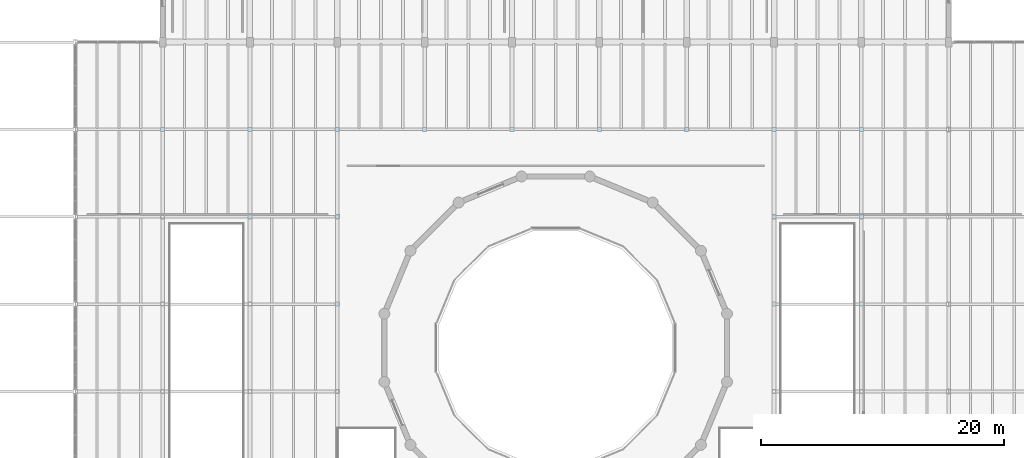
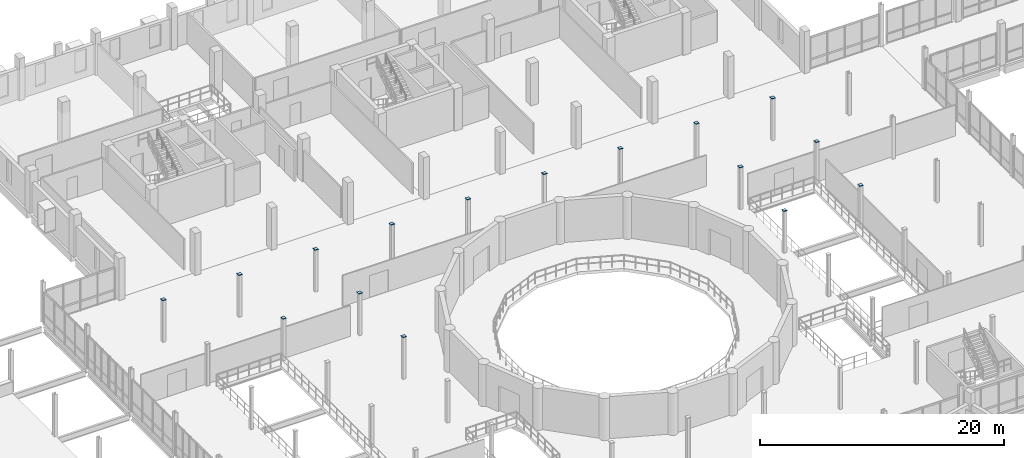
# One storey, part 53 of 72: 16 plates.
"""IFC4 building model written with IfcOpenShell, lengths in metres."""

from ifc_helpers import new_model, si_unit, direction, frame, origin, origin_2d, place, context, subcontext, project, spatial, rectangle, extrude, material, layer, layer_set, type_object, element, save


model = new_model("IFC4")

# Units and contexts
model_context = context("Model", 3, precision=1e-05, world=origin(), true_north=direction((0.0, 1.0)))
body_context = subcontext(model_context, "Body", "Model", "MODEL_VIEW")
ifc_project = project(units=[si_unit("LENGTHUNIT", "METRE"), si_unit("AREAUNIT", "SQUARE_METRE"), si_unit("VOLUMEUNIT", "CUBIC_METRE"), si_unit("PLANEANGLEUNIT", "RADIAN"), si_unit("MASSUNIT", "GRAM", prefix="KILO")], contexts=[model_context])

# Site, building, storey
site_placement = place(None, origin())
site = spatial("IfcSite", under=ifc_project, at=site_placement, CompositionType="ELEMENT")
building_placement = place(site_placement, origin())
building = spatial("IfcBuilding", under=site, at=building_placement, Name="Qiaolan Assembly House", CompositionType="ELEMENT")
storey_placement = place(building_placement, frame((0.0, 0.0, 10.199951171875)))
storey = spatial("IfcBuildingStorey", under=building, at=storey_placement, Name="L02", CompositionType="ELEMENT", Elevation=10.199951171875)

# Plates
ifc_material = material(Name="Steel Q355B", Category="steel")
ifc_layer = layer(ifc_material, 0.02001953125)
ifc_layer_set = layer_set([ifc_layer], Name="Steel Q355B")
plate_type = type_object("IfcPlateType", Name="PLT-CAP-STL-20", PredefinedType="SHEET", material=ifc_layer_set)
for number, where, z_axis, x_axis, name in (
    (1, (36.0, 79.199951171875, 4.18994140625), (0.0, 0.0, 1.0), (1.0, 0.0, 0.0), "NP-04 steel hollow-section seal cap plate 120"),
    (2, (43.199951171875, 72.0, 4.18994140625), (0.0, 0.0, 1.0), (1.0, 0.0, 0.0), "NP-04 steel hollow-section seal cap plate 125"),
    (3, (43.199951171875, 79.199951171875, 4.18994140625), (0.0, 0.0, 1.0), (1.0, 0.0, 0.0), "NP-04 steel hollow-section seal cap plate 126"),
    (4, (50.39990234375, 64.800048828125, 4.18994140625), (0.0, 0.0, 1.0), (1.0, 0.0, 0.0), "NP-04 steel hollow-section seal cap plate 130"),
    (5, (50.39990234375, 72.0, 4.18994140625), (0.0, 0.0, 1.0), (1.0, 0.0, 0.0), "NP-04 steel hollow-section seal cap plate 131"),
    (6, (50.39990234375, 79.199951171875, 4.18994140625), (0.0, 0.0, 1.0), (1.0, 0.0, 0.0), "NP-04 steel hollow-section seal cap plate 132"),
    (7, (57.60009765625, 79.199951171875, 4.18994140625), (0.0, 0.0, 1.0), (1.0, 0.0, 0.0), "NP-04 steel hollow-section seal cap plate 134"),
    (8, (64.800048828125, 79.199951171875, 4.18994140625), (0.0, 0.0, 1.0), (1.0, 0.0, 0.0), "NP-04 steel hollow-section seal cap plate 136"),
    (9, (72.0, 79.199951171875, 4.18994140625), (0.0, 0.0, 1.0), (1.0, 0.0, 0.0), "NP-04 steel hollow-section seal cap plate 138"),
    (10, (79.199951171875, 79.199951171875, 4.18994140625), (0.0, 0.0, 1.0), (1.0, 0.0, 0.0), "NP-04 steel hollow-section seal cap plate 140"),
    (11, (86.39990234375, 64.800048828125, 4.18994140625), (0.0, 0.0, 1.0), (1.0, 0.0, 0.0), "NP-04 steel hollow-section seal cap plate 144"),
    (12, (86.39990234375, 72.0, 4.18994140625), (0.0, 0.0, 1.0), (1.0, 0.0, 0.0), "NP-04 steel hollow-section seal cap plate 145"),
    (13, (86.39990234375, 79.199951171875, 4.18994140625), (0.0, 0.0, 1.0), (1.0, 0.0, 0.0), "NP-04 steel hollow-section seal cap plate 146"),
    (14, (93.60009765625, 64.800048828125, 4.18994140625), (0.0, 0.0, 1.0), (1.0, 0.0, 0.0), "NP-04 steel hollow-section seal cap plate 150"),
    (15, (93.60009765625, 72.0, 4.18994140625), (0.0, 0.0, 1.0), (1.0, 0.0, 0.0), "NP-04 steel hollow-section seal cap plate 151"),
    (16, (93.60009765625, 79.199951171875, 4.18994140625), (0.0, 0.0, 1.0), (1.0, 0.0, 0.0), "NP-04 steel hollow-section seal cap plate 152"),
):
    element("IfcPlate", number, at=place(storey_placement, frame(where, z_axis=z_axis, x_axis=x_axis)), inside=storey, type_object=plate_type, Name=name, PredefinedType="SHEET", context=body_context, shape_type="SweptSolid", body=[
        extrude(rectangle(XDim=0.340087890625, YDim=0.340087890625, at=origin_2d()), origin(), (0.0, 0.0, 1.0), 0.02001953125),
    ])

save(model, "model.ifc")
